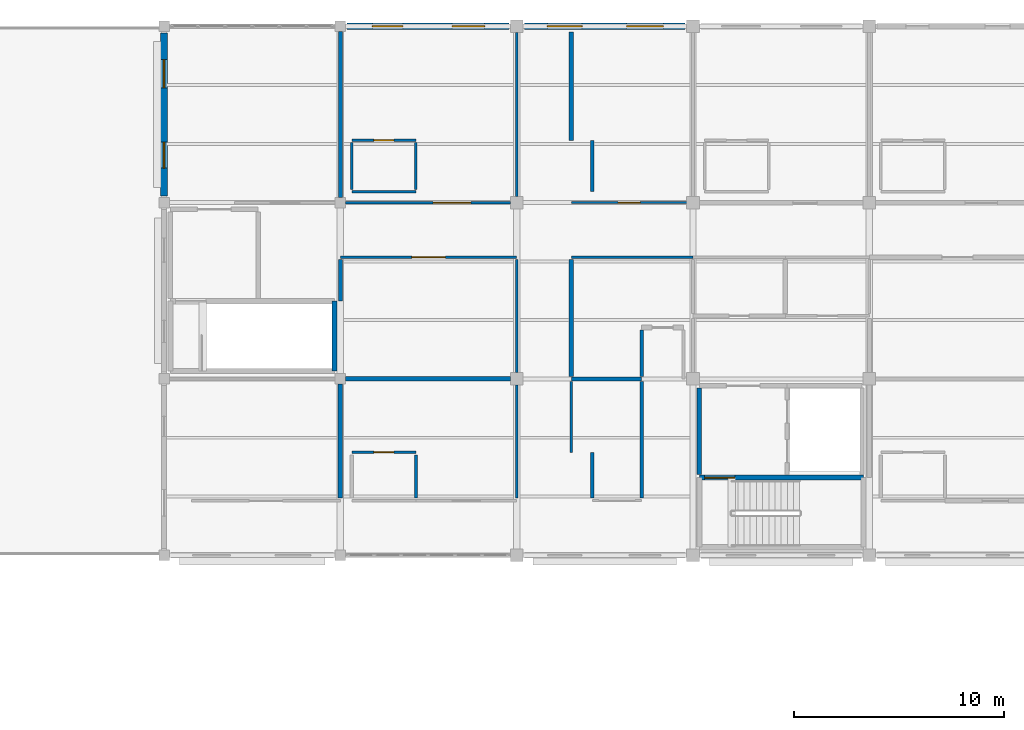
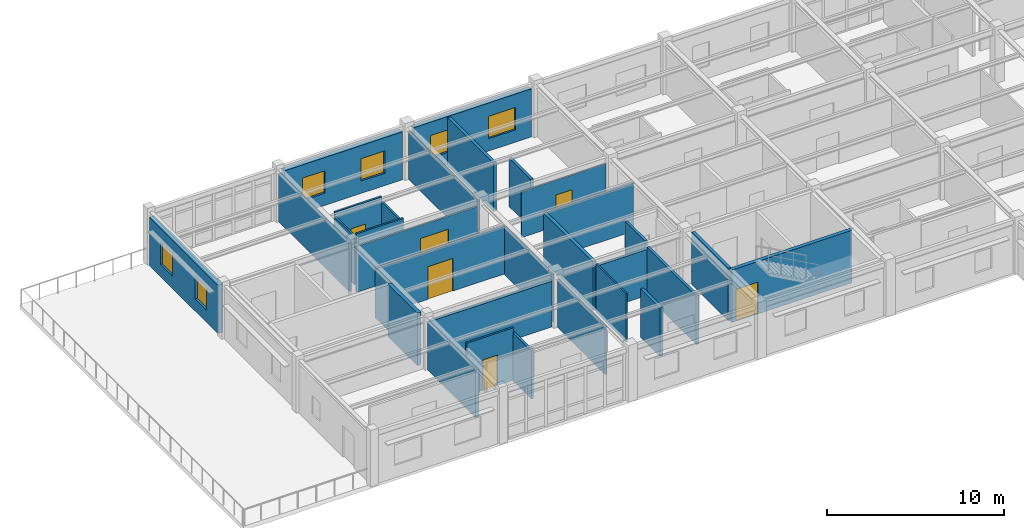
# One storey, part 52 of 70: 31 walls, 6 doors, 6 windows, 12 openings.
"""IFC4 building model written with IfcOpenShell, lengths in metres."""

from ifc_helpers import new_model, si_unit, direction, frame, frame_2d, origin, place, context, subcontext, project, spatial, rectangle, extrude, material, layer, layer_set, type_object, element, fill, save


model = new_model("IFC4")

# Units and contexts
model_context = context("Model", 3, precision=1e-05, world=origin(), true_north=direction((0.0, 1.0)))
body_context = subcontext(model_context, "Body", "Model", "MODEL_VIEW")
ifc_project = project(units=[si_unit("LENGTHUNIT", "METRE"), si_unit("AREAUNIT", "SQUARE_METRE"), si_unit("VOLUMEUNIT", "CUBIC_METRE"), si_unit("PLANEANGLEUNIT", "RADIAN"), si_unit("MASSUNIT", "GRAM", prefix="KILO")], contexts=[model_context])

# Site, building, storey
site_placement = place(None, origin())
site = spatial("IfcSite", under=ifc_project, at=site_placement, CompositionType="ELEMENT")
building_placement = place(site_placement, origin())
building = spatial("IfcBuilding", under=site, at=building_placement, Name="Bramfleet General Hospital", CompositionType="ELEMENT")
storey_placement = place(building_placement, frame((0.0, 0.0, 22.5)))
storey = spatial("IfcBuildingStorey", under=building, at=storey_placement, Name="L05", CompositionType="ELEMENT", Elevation=22.5)

# Wall, openings, windows
ifc_material_1 = material(Name="Precast concrete C40/50", Category="concrete")
ifc_layer_1 = layer(ifc_material_1, 0.3349609375, Name="WT-EW-03")
ifc_layer_set_1 = layer_set([ifc_layer_1], Name="Precast concrete C40/50")
wall_type_1 = type_object("IfcWallType", Name="WT-EW-03", PredefinedType="SOLIDWALL", material=ifc_layer_set_1)
wall_1_placement = place(storey_placement, frame((50.39990234375, 109.52490234375, 0.0), z_axis=(0.0, 0.0, 1.0), x_axis=(0.0, 1.0, 0.0)))
wall_1 = element("IfcWall", 1, at=wall_1_placement, inside=storey, type_object=wall_type_1, Name="L05 Exterior Wall 344", PredefinedType="SOLIDWALL", context=body_context, shape_type="SweptSolid", body=[
    extrude(rectangle(XDim=7.75, YDim=0.3349609375, at=frame_2d((3.875, 0.0))), origin(), (0.0, 0.0, 1.0), 3.330078125),
])
opening_1_placement = place(wall_1_placement, frame((1.3125, 0.0, 0.85009765625)))
opening_1 = element("IfcOpeningElement", 2, at=opening_1_placement, cuts=wall_1, Name="Opening W-23", PredefinedType="OPENING", context=body_context, shape_type="SweptSolid", body=[
    extrude(rectangle(XDim=1.25, YDim=1.5400390625, at=frame_2d((0.625, 0.77001953125))), frame((0.0, 0.177490234375, 0.0), z_axis=(0.0, -1.0, 0.0), x_axis=(1.0, 0.0, 0.0)), (0.0, 0.0, 1.0), 0.35498046875),
])
opening_2_placement = place(wall_1_placement, frame((5.137451171875, 0.0, 0.85009765625)))
opening_2 = element("IfcOpeningElement", 3, at=opening_2_placement, cuts=wall_1, Name="Opening W-24", PredefinedType="OPENING", context=body_context, shape_type="SweptSolid", body=[
    extrude(rectangle(XDim=1.35009765625, YDim=1.5400390625, at=frame_2d((0.675048828125, 0.77001953125))), frame((0.0, 0.177490234375, 0.0), z_axis=(0.0, -1.0, 0.0), x_axis=(1.0, 0.0, 0.0)), (0.0, 0.0, 1.0), 0.35498046875),
])
ifc_material_2 = material(Name="Anodised aluminium and low-E triple glazing", Category="aluminium")
window_type_1 = type_object("IfcWindowType", Name="WIN-W-23", PartitioningType="SINGLE_PANEL", PredefinedType="WINDOW", material=ifc_material_2)
window_1_placement = place(opening_1_placement, origin())
window_1 = element("IfcWindow", 4, at=window_1_placement, inside=storey, type_object=window_type_1, Name="L05 Facade Window WIN-L05-344-1", OverallHeight=1.5400390625, OverallWidth=1.25, PartitioningType="SINGLE_PANEL", PredefinedType="WINDOW", context=body_context, shape_type="SweptSolid", body=[
    extrude(rectangle(XDim=1.25, YDim=1.5400390625, at=frame_2d((0.625, 0.77001953125))), frame((0.0, 0.030029296875, 0.0), z_axis=(0.0, -1.0, 0.0), x_axis=(1.0, 0.0, 0.0)), (0.0, 0.0, 1.0), 0.06005859375),
])
fill(opening_1, window_1)
window_type_2 = type_object("IfcWindowType", Name="WIN-W-24", PartitioningType="SINGLE_PANEL", PredefinedType="WINDOW", material=ifc_material_2)
window_2_placement = place(opening_2_placement, origin())
window_2 = element("IfcWindow", 5, at=window_2_placement, inside=storey, type_object=window_type_2, Name="L05 Facade Window WIN-L05-344-2", OverallHeight=1.5400390625, OverallWidth=1.35009765625, PartitioningType="SINGLE_PANEL", PredefinedType="WINDOW", context=body_context, shape_type="SweptSolid", body=[
    extrude(rectangle(XDim=1.35009765625, YDim=1.5400390625, at=frame_2d((0.675048828125, 0.77001953125))), frame((0.0, 0.030029296875, 0.0), z_axis=(0.0, -1.0, 0.0), x_axis=(1.0, 0.0, 0.0)), (0.0, 0.0, 1.0), 0.06005859375),
])
fill(opening_2, window_2)

ifc_layer_2 = layer(ifc_material_1, 0.31494140625, Name="WT-EW-04")
ifc_layer_set_2 = layer_set([ifc_layer_2], Name="Precast concrete C40/50")
wall_type_2 = type_object("IfcWallType", Name="WT-EW-04", PredefinedType="SOLIDWALL", material=ifc_layer_set_2)
wall_2_placement = place(storey_placement, frame((59.125, 117.60009765625, 0.0), z_axis=(0.0, 0.0, 1.0), x_axis=(1.0, 0.0, 0.0)))
wall_2 = element("IfcWall", 6, at=wall_2_placement, inside=storey, type_object=wall_type_2, Name="L05 Exterior Wall 345", PredefinedType="SOLIDWALL", context=body_context, shape_type="SweptSolid", body=[
    extrude(rectangle(XDim=7.699951171875, YDim=0.31494140625, at=frame_2d((3.85009765625, 0.0))), origin(), (0.0, 0.0, 1.0), 3.300048828125),
])
opening_3_placement = place(wall_2_placement, frame((1.199951171875, 0.0, 0.85009765625)))
opening_3 = element("IfcOpeningElement", 7, at=opening_3_placement, cuts=wall_2, Name="Opening W-25", PredefinedType="OPENING", context=body_context, shape_type="SweptSolid", body=[
    extrude(rectangle(XDim=1.449951171875, YDim=1.5400390625, at=frame_2d((0.72509765625, 0.77001953125))), frame((0.0, 0.16748046875, 0.0), z_axis=(0.0, -1.0, 0.0), x_axis=(1.0, 0.0, 0.0)), (0.0, 0.0, 1.0), 0.3349609375),
])
opening_4_placement = place(wall_2_placement, frame((5.0, 0.0, 0.85009765625)))
opening_4 = element("IfcOpeningElement", 8, at=opening_4_placement, cuts=wall_2, Name="Opening W-26", PredefinedType="OPENING", context=body_context, shape_type="SweptSolid", body=[
    extrude(rectangle(XDim=1.550048828125, YDim=1.5400390625, at=frame_2d((0.77490234375, 0.77001953125))), frame((0.0, 0.16748046875, 0.0), z_axis=(0.0, -1.0, 0.0), x_axis=(1.0, 0.0, 0.0)), (0.0, 0.0, 1.0), 0.3349609375),
])
window_type_3 = type_object("IfcWindowType", Name="WIN-W-25", PartitioningType="SINGLE_PANEL", PredefinedType="WINDOW", material=ifc_material_2)
window_3_placement = place(opening_3_placement, origin())
window_3 = element("IfcWindow", 9, at=window_3_placement, inside=storey, type_object=window_type_3, Name="L05 Facade Window WIN-L05-345-1", OverallHeight=1.5400390625, OverallWidth=1.449951171875, PartitioningType="SINGLE_PANEL", PredefinedType="WINDOW", context=body_context, shape_type="SweptSolid", body=[
    extrude(rectangle(XDim=1.449951171875, YDim=1.5400390625, at=frame_2d((0.72509765625, 0.77001953125))), frame((0.0, 0.030029296875, 0.0), z_axis=(0.0, -1.0, 0.0), x_axis=(1.0, 0.0, 0.0)), (0.0, 0.0, 1.0), 0.06005859375),
])
fill(opening_3, window_3)
window_type_4 = type_object("IfcWindowType", Name="WIN-W-26", PartitioningType="SINGLE_PANEL", PredefinedType="WINDOW", material=ifc_material_2)
window_4_placement = place(opening_4_placement, origin())
window_4 = element("IfcWindow", 10, at=window_4_placement, inside=storey, type_object=window_type_4, Name="L05 Facade Window WIN-L05-345-2", OverallHeight=1.5400390625, OverallWidth=1.550048828125, PartitioningType="SINGLE_PANEL", PredefinedType="WINDOW", context=body_context, shape_type="SweptSolid", body=[
    extrude(rectangle(XDim=1.550048828125, YDim=1.5400390625, at=frame_2d((0.77490234375, 0.77001953125))), frame((0.0, 0.030029296875, 0.0), z_axis=(0.0, -1.0, 0.0), x_axis=(1.0, 0.0, 0.0)), (0.0, 0.0, 1.0), 0.06005859375),
])
fill(opening_4, window_4)

ifc_layer_3 = layer(ifc_material_1, 0.294921875, Name="WT-EW-05")
ifc_layer_set_3 = layer_set([ifc_layer_3], Name="Precast concrete C40/50")
wall_type_3 = type_object("IfcWallType", Name="WT-EW-05", PredefinedType="SOLIDWALL", material=ifc_layer_set_3)
wall_3_placement = place(storey_placement, frame((67.574951171875, 117.60009765625, 0.0), z_axis=(0.0, 0.0, 1.0), x_axis=(1.0, 0.0, 0.0)))
wall_3 = element("IfcWall", 11, at=wall_3_placement, inside=storey, type_object=wall_type_3, Name="L05 Exterior Wall 346", PredefinedType="SOLIDWALL", context=body_context, shape_type="SweptSolid", body=[
    extrude(rectangle(XDim=7.650146484375, YDim=0.294921875, at=frame_2d((3.8251953125, 0.0))), origin(), (0.0, 0.0, 1.0), 3.31005859375),
])
opening_5_placement = place(wall_3_placement, frame((1.08740234375, 0.0, 0.85009765625)))
opening_5 = element("IfcOpeningElement", 12, at=opening_5_placement, cuts=wall_3, Name="Opening W-27", PredefinedType="OPENING", context=body_context, shape_type="SweptSolid", body=[
    extrude(rectangle(XDim=1.64990234375, YDim=1.5400390625, at=frame_2d((0.824951171875, 0.77001953125))), frame((0.0, 0.157470703125, 0.0), z_axis=(0.0, -1.0, 0.0), x_axis=(1.0, 0.0, 0.0)), (0.0, 0.0, 1.0), 0.31494140625),
])
opening_6_placement = place(wall_3_placement, frame((4.862548828125, 0.0, 0.85009765625)))
opening_6 = element("IfcOpeningElement", 13, at=opening_6_placement, cuts=wall_3, Name="Opening W-28", PredefinedType="OPENING", context=body_context, shape_type="SweptSolid", body=[
    extrude(rectangle(XDim=1.75, YDim=1.5400390625, at=frame_2d((0.875, 0.77001953125))), frame((0.0, 0.157470703125, 0.0), z_axis=(0.0, -1.0, 0.0), x_axis=(1.0, 0.0, 0.0)), (0.0, 0.0, 1.0), 0.31494140625),
])
window_type_5 = type_object("IfcWindowType", Name="WIN-W-27", PartitioningType="SINGLE_PANEL", PredefinedType="WINDOW", material=ifc_material_2)
window_5_placement = place(opening_5_placement, origin())
window_5 = element("IfcWindow", 14, at=window_5_placement, inside=storey, type_object=window_type_5, Name="L05 Facade Window WIN-L05-346-1", OverallHeight=1.5400390625, OverallWidth=1.64990234375, PartitioningType="SINGLE_PANEL", PredefinedType="WINDOW", context=body_context, shape_type="SweptSolid", body=[
    extrude(rectangle(XDim=1.64990234375, YDim=1.5400390625, at=frame_2d((0.824951171875, 0.77001953125))), frame((0.0, 0.030029296875, 0.0), z_axis=(0.0, -1.0, 0.0), x_axis=(1.0, 0.0, 0.0)), (0.0, 0.0, 1.0), 0.06005859375),
])
fill(opening_5, window_5)
window_type_6 = type_object("IfcWindowType", Name="WIN-W-28", PartitioningType="SINGLE_PANEL", PredefinedType="WINDOW", material=ifc_material_2)
window_6_placement = place(opening_6_placement, origin())
window_6 = element("IfcWindow", 15, at=window_6_placement, inside=storey, type_object=window_type_6, Name="L05 Facade Window WIN-L05-346-2", OverallHeight=1.5400390625, OverallWidth=1.75, PartitioningType="SINGLE_PANEL", PredefinedType="WINDOW", context=body_context, shape_type="SweptSolid", body=[
    extrude(rectangle(XDim=1.75, YDim=1.5400390625, at=frame_2d((0.875, 0.77001953125))), frame((0.0, 0.030029296875, 0.0), z_axis=(0.0, -1.0, 0.0), x_axis=(1.0, 0.0, 0.0)), (0.0, 0.0, 1.0), 0.06005859375),
])
fill(opening_6, window_6)

# Walls
ifc_material_3 = material(Name="Concrete C35/45", Category="concrete")
ifc_layer_4 = layer(ifc_material_3, 0.219970703125, Name="WT-IW-01")
ifc_layer_set_4 = layer_set([ifc_layer_4], Name="Concrete C35/45")
wall_type_4 = type_object("IfcWallType", Name="WT-IW-01", PredefinedType="PARTITIONING", material=ifc_layer_set_4)
wall_4_placement = place(storey_placement, frame((59.044921875, 100.800048828125, 0.0), z_axis=(0.0, 0.0, 1.0), x_axis=(1.0, 0.0, 0.0)))
element("IfcWall", 16, at=wall_4_placement, inside=storey, type_object=wall_type_4, Name="L05 Interior Partition IW-L05-3601", PredefinedType="PARTITIONING", context=body_context, shape_type="SweptSolid", body=[
    extrude(rectangle(XDim=7.860107421875, YDim=0.219970703125, at=frame_2d((3.93017578125, 0.0))), origin(), (0.0, 0.0, 1.0), 3.14990234375),
])
wall_5_placement = place(storey_placement, frame((69.800048828125, 100.9150390625, 0.0), z_axis=(0.0, 0.0, 1.0), x_axis=(0.0, 1.0, 0.0)))
element("IfcWall", 17, at=wall_5_placement, inside=storey, type_object=wall_type_4, Name="L05 Interior Partition IW-L05-3673", PredefinedType="PARTITIONING", context=body_context, shape_type="SweptSolid", body=[
    extrude(rectangle(XDim=5.570068359375, YDim=0.219970703125, at=frame_2d((2.78515625, 0.0))), origin(), (0.0, 0.0, 1.0), 3.340087890625),
])
ifc_layer_5 = layer(ifc_material_3, 0.205078125, Name="WT-IW-02")
ifc_layer_set_5 = layer_set([ifc_layer_5], Name="Concrete C35/45")
wall_type_5 = type_object("IfcWallType", Name="WT-IW-02", PredefinedType="PARTITIONING", material=ifc_layer_set_5)
wall_6_placement = place(storey_placement, frame((75.89990234375, 96.239990234375, 0.0), z_axis=(0.0, 0.0, 1.0), x_axis=(0.0, 1.0, 0.0)))
element("IfcWall", 18, at=wall_6_placement, inside=storey, type_object=wall_type_5, Name="L05 C5 Lobby West Compartment Wall", PredefinedType="PARTITIONING", context=body_context, shape_type="SweptSolid", body=[
    extrude(rectangle(XDim=4.1201171875, YDim=0.205078125, at=frame_2d((2.06005859375, 0.0))), origin(), (0.0, 0.0, 1.0), 3.610107421875),
])
wall_7_placement = place(storey_placement, frame((69.800048828125, 100.800048828125, 0.0), z_axis=(0.0, 0.0, 1.0), x_axis=(1.0, 0.0, 0.0)))
element("IfcWall", 19, at=wall_7_placement, inside=storey, type_object=wall_type_5, Name="L05 Interior Partition IW-L05-3602", PredefinedType="PARTITIONING", context=body_context, shape_type="SweptSolid", body=[
    extrude(rectangle(XDim=3.349853515625, YDim=0.205078125, at=frame_2d((1.6748046875, 0.0))), origin(), (0.0, 0.0, 1.0), 3.159912109375),
])
wall_8_placement = place(storey_placement, frame((58.800048828125, 95.114990234375, 0.0), z_axis=(0.0, 0.0, 1.0), x_axis=(0.0, 1.0, 0.0)))
element("IfcWall", 20, at=wall_8_placement, inside=storey, type_object=wall_type_5, Name="L05 Interior Partition IW-L05-3662", PredefinedType="PARTITIONING", context=body_context, shape_type="SweptSolid", body=[
    extrude(rectangle(XDim=5.43994140625, YDim=0.205078125, at=frame_2d((2.719970703125, 0.0))), origin(), (0.0, 0.0, 1.0), 3.2900390625),
])
wall_9_placement = place(storey_placement, frame((69.800048828125, 112.169921875, 0.0), z_axis=(0.0, 0.0, 1.0), x_axis=(0.0, 1.0, 0.0)))
element("IfcWall", 21, at=wall_9_placement, inside=storey, type_object=wall_type_5, Name="L05 Interior Partition IW-L05-3674", PredefinedType="PARTITIONING", context=body_context, shape_type="SweptSolid", body=[
    extrude(rectangle(XDim=5.150146484375, YDim=0.205078125, at=frame_2d((2.5751953125, 0.0))), origin(), (0.0, 0.0, 1.0), 3.340087890625),
])
ifc_layer_6 = layer(ifc_material_3, 0.18994140625, Name="WT-IW-03")
ifc_layer_set_6 = layer_set([ifc_layer_6], Name="Concrete C35/45")
wall_type_6 = type_object("IfcWallType", Name="WT-IW-03", PredefinedType="PARTITIONING", material=ifc_layer_set_6)
wall_10_placement = place(storey_placement, frame((58.800048828125, 104.5, 0.0), z_axis=(0.0, 0.0, 1.0), x_axis=(0.0, 1.0, 0.0)))
element("IfcWall", 22, at=wall_10_placement, inside=storey, type_object=wall_type_6, Name="L05 Interior Partition IW-L05-3663", PredefinedType="PARTITIONING", context=body_context, shape_type="SweptSolid", body=[
    extrude(rectangle(XDim=1.985107421875, YDim=0.18994140625, at=frame_2d((0.99267578125, 0.0))), origin(), (0.0, 0.0, 1.0), 3.2900390625),
])
wall_11_placement = place(storey_placement, frame((70.800048828125, 95.114990234375, 0.0), z_axis=(0.0, 0.0, 1.0), x_axis=(0.0, 1.0, 0.0)))
element("IfcWall", 23, at=wall_11_placement, inside=storey, type_object=wall_type_6, Name="L05 Interior Partition IW-L05-3675", PredefinedType="PARTITIONING", context=body_context, shape_type="SweptSolid", body=[
    extrude(rectangle(XDim=2.18505859375, YDim=0.18994140625, at=frame_2d((1.092529296875, 0.0))), origin(), (0.0, 0.0, 1.0), 3.340087890625),
])
ifc_layer_7 = layer(ifc_material_3, 0.179931640625, Name="WT-IW-04")
ifc_layer_set_7 = layer_set([ifc_layer_7], Name="Concrete C35/45")
wall_type_7 = type_object("IfcWallType", Name="WT-IW-04", PredefinedType="PARTITIONING", material=ifc_layer_set_7)
wall_12_placement = place(storey_placement, frame((58.800048828125, 109.445068359375, 0.0), z_axis=(0.0, 0.0, 1.0), x_axis=(0.0, 1.0, 0.0)))
element("IfcWall", 24, at=wall_12_placement, inside=storey, type_object=wall_type_7, Name="L05 Interior Partition IW-L05-3664", PredefinedType="PARTITIONING", context=body_context, shape_type="SweptSolid", body=[
    extrude(rectangle(XDim=7.909912109375, YDim=0.179931640625, at=frame_2d((3.955078125, 0.0))), origin(), (0.0, 0.0, 1.0), 3.2900390625),
])
wall_13_placement = place(storey_placement, frame((70.800048828125, 109.719970703125, 0.0), z_axis=(0.0, 0.0, 1.0), x_axis=(0.0, 1.0, 0.0)))
element("IfcWall", 25, at=wall_13_placement, inside=storey, type_object=wall_type_7, Name="L05 Interior Partition IW-L05-3676", PredefinedType="PARTITIONING", context=body_context, shape_type="SweptSolid", body=[
    extrude(rectangle(XDim=2.449951171875, YDim=0.179931640625, at=frame_2d((1.22509765625, 0.0))), origin(), (0.0, 0.0, 1.0), 3.340087890625),
])
ifc_material_4 = material(Name="Gypsum plasterboard on acoustic steel studs", Category="steel")
ifc_layer_8 = layer(ifc_material_4, 0.169921875, Name="WT-IW-05")
ifc_layer_set_8 = layer_set([ifc_layer_8], Name="Gypsum plasterboard on acoustic steel studs")
wall_type_8 = type_object("IfcWallType", Name="WT-IW-05", PredefinedType="PARTITIONING", material=ifc_layer_set_8)
wall_14_placement = place(storey_placement, frame((73.14990234375, 95.114990234375, 0.0), z_axis=(0.0, 0.0, 1.0), x_axis=(0.0, 1.0, 0.0)))
element("IfcWall", 26, at=wall_14_placement, inside=storey, type_object=wall_type_8, Name="L05 Interior Partition IW-L05-3677", PredefinedType="PARTITIONING", context=body_context, shape_type="SweptSolid", body=[
    extrude(rectangle(XDim=5.570068359375, YDim=0.169921875, at=frame_2d((2.78515625, 0.0))), origin(), (0.0, 0.0, 1.0), 3.340087890625),
])
ifc_layer_9 = layer(ifc_material_4, 0.159912109375, Name="WT-IW-06")
ifc_layer_set_9 = layer_set([ifc_layer_9], Name="Gypsum plasterboard on acoustic steel studs")
wall_type_9 = type_object("IfcWallType", Name="WT-IW-06", PredefinedType="PARTITIONING", material=ifc_layer_set_9)
wall_15_placement = place(storey_placement, frame((73.14990234375, 100.9150390625, 0.0), z_axis=(0.0, 0.0, 1.0), x_axis=(0.0, 1.0, 0.0)))
element("IfcWall", 27, at=wall_15_placement, inside=storey, type_object=wall_type_9, Name="L05 Interior Partition IW-L05-3678", PredefinedType="PARTITIONING", context=body_context, shape_type="SweptSolid", body=[
    extrude(rectangle(XDim=2.219970703125, YDim=0.159912109375, at=frame_2d((1.10986328125, 0.0))), origin(), (0.0, 0.0, 1.0), 3.610107421875),
])
ifc_layer_10 = layer(ifc_material_4, 0.14990234375, Name="WT-IW-07")
ifc_layer_set_10 = layer_set([ifc_layer_10], Name="Gypsum plasterboard on acoustic steel studs")
wall_type_10 = type_object("IfcWallType", Name="WT-IW-07", PredefinedType="PARTITIONING", material=ifc_layer_set_10)
wall_16_placement = place(storey_placement, frame((62.39990234375, 95.114990234375, 0.0), z_axis=(0.0, 0.0, 1.0), x_axis=(0.0, 1.0, 0.0)))
element("IfcWall", 28, at=wall_16_placement, inside=storey, type_object=wall_type_10, Name="L05 Interior Partition IW-L05-3667", PredefinedType="PARTITIONING", context=body_context, shape_type="SweptSolid", body=[
    extrude(rectangle(XDim=2.070068359375, YDim=0.14990234375, at=frame_2d((1.03515625, 0.0))), origin(), (0.0, 0.0, 1.0), 3.330078125),
])

# Wall, opening, door
ifc_layer_11 = layer(ifc_material_4, 0.1298828125, Name="WT-IW-09")
ifc_layer_set_11 = layer_set([ifc_layer_11], Name="Gypsum plasterboard on acoustic steel studs")
wall_type_11 = type_object("IfcWallType", Name="WT-IW-09", PredefinedType="PARTITIONING", material=ifc_layer_set_11)
wall_17_placement = place(storey_placement, frame((59.35009765625, 97.300048828125, 0.0), z_axis=(0.0, 0.0, 1.0), x_axis=(1.0, 0.0, 0.0)))
wall_17 = element("IfcWall", 29, at=wall_17_placement, inside=storey, type_object=wall_type_11, Name="L05 Interior Partition IW-L05-3597", PredefinedType="PARTITIONING", context=body_context, shape_type="SweptSolid", body=[
    extrude(rectangle(XDim=3.0498046875, YDim=0.1298828125, at=frame_2d((1.52490234375, 0.0))), origin(), (0.0, 0.0, 1.0), 3.610107421875),
])
opening_7_placement = place(wall_17_placement, frame((1.050048828125, 0.0, 0.0)))
opening_7 = element("IfcOpeningElement", 30, at=opening_7_placement, cuts=wall_17, Name="Opening D1347", PredefinedType="OPENING", context=body_context, shape_type="SweptSolid", body=[
    extrude(rectangle(XDim=0.949951171875, YDim=2.10009765625, at=frame_2d((0.47509765625, 1.050048828125))), frame((0.0, 0.074951171875, 0.0), z_axis=(0.0, -1.0, 0.0), x_axis=(1.0, 0.0, 0.0)), (0.0, 0.0, 1.0), 0.14990234375),
])
ifc_material_5 = material(Name="Stainless steel and acoustic timber leaf", Category="steel")
door_type_1 = type_object("IfcDoorType", Name="DR-D-10", OperationType="NOTDEFINED", PredefinedType="DOOR", material=ifc_material_5)
door_1_placement = place(opening_7_placement, origin())
door_1 = element("IfcDoor", 31, at=door_1_placement, inside=storey, type_object=door_type_1, Name="En-Suite Bathroom L05-0711 Door D1347", OperationType="SINGLE_SWING_LEFT", OverallHeight=2.10009765625, OverallWidth=0.949951171875, PredefinedType="DOOR", context=body_context, shape_type="SweptSolid", body=[
    extrude(rectangle(XDim=0.949951171875, YDim=2.10009765625, at=frame_2d((0.47509765625, 1.050048828125))), frame((0.0, 0.02490234375, 0.0), z_axis=(0.0, -1.0, 0.0), x_axis=(1.0, 0.0, 0.0)), (0.0, 0.0, 1.0), 0.050048828125),
])
fill(opening_7, door_1)

wall_18_placement = place(storey_placement, frame((58.800048828125, 106.60009765625, 0.0), z_axis=(0.0, 0.0, 1.0), x_axis=(1.0, 0.0, 0.0)))
wall_18 = element("IfcWall", 32, at=wall_18_placement, inside=storey, type_object=wall_type_11, Name="L05 Interior Partition IW-L05-3621", PredefinedType="PARTITIONING", context=body_context, shape_type="SweptSolid", body=[
    extrude(rectangle(XDim=8.39990234375, YDim=0.1298828125, at=frame_2d((4.199951171875, 0.0))), origin(), (0.0, 0.0, 1.0), 3.2900390625),
])
opening_8_placement = place(wall_18_placement, frame((3.39990234375, 0.0, 0.0)))
opening_8 = element("IfcOpeningElement", 33, at=opening_8_placement, cuts=wall_18, Name="Opening D1348", PredefinedType="OPENING", context=body_context, shape_type="SweptSolid", body=[
    extrude(rectangle(XDim=1.60009765625, YDim=2.25, at=frame_2d((0.800048828125, 1.125))), frame((0.0, 0.074951171875, 0.0), z_axis=(0.0, -1.0, 0.0), x_axis=(1.0, 0.0, 0.0)), (0.0, 0.0, 1.0), 0.14990234375),
])
door_type_2 = type_object("IfcDoorType", Name="DR-D-04", OperationType="NOTDEFINED", PredefinedType="DOOR", material=ifc_material_5)
door_2_placement = place(opening_8_placement, origin())
door_2 = element("IfcDoor", 34, at=door_2_placement, inside=storey, type_object=door_type_2, Name="Ward Linen and Clean Utility L05-0712 Door D1348", OperationType="DOUBLE_SWING_LEFT", OverallHeight=2.25, OverallWidth=1.60009765625, PredefinedType="DOOR", context=body_context, shape_type="SweptSolid", body=[
    extrude(rectangle(XDim=1.60009765625, YDim=2.25, at=frame_2d((0.800048828125, 1.125))), frame((0.0, 0.02490234375, 0.0), z_axis=(0.0, -1.0, 0.0), x_axis=(1.0, 0.0, 0.0)), (0.0, 0.0, 1.0), 0.050048828125),
])
fill(opening_8, door_2)

# Walls
wall_19_placement = place(storey_placement, frame((67.199951171875, 95.114990234375, 0.0), z_axis=(0.0, 0.0, 1.0), x_axis=(0.0, 1.0, 0.0)))
element("IfcWall", 35, at=wall_19_placement, inside=storey, type_object=wall_type_11, Name="L05 Interior Partition IW-L05-3669", PredefinedType="PARTITIONING", context=body_context, shape_type="SweptSolid", body=[
    extrude(rectangle(XDim=5.389892578125, YDim=0.1298828125, at=frame_2d((2.69482421875, 0.0))), origin(), (0.0, 0.0, 1.0), 3.2900390625),
])
ifc_layer_12 = layer(ifc_material_4, 0.1201171875, Name="WT-IW-10")
ifc_layer_set_12 = layer_set([ifc_layer_12], Name="Gypsum plasterboard on acoustic steel studs")
wall_type_12 = type_object("IfcWallType", Name="WT-IW-10", PredefinedType="PARTITIONING", material=ifc_layer_set_12)
wall_20_placement = place(storey_placement, frame((69.800048828125, 106.60009765625, 0.0), z_axis=(0.0, 0.0, 1.0), x_axis=(1.0, 0.0, 0.0)))
element("IfcWall", 36, at=wall_20_placement, inside=storey, type_object=wall_type_12, Name="L05 Interior Partition IW-L05-3622", PredefinedType="PARTITIONING", context=body_context, shape_type="SweptSolid", body=[
    extrude(rectangle(XDim=5.800048828125, YDim=0.1201171875, at=frame_2d((2.89990234375, 0.0))), origin(), (0.0, 0.0, 1.0), 3.300048828125),
])
wall_21_placement = place(storey_placement, frame((59.35009765625, 109.719970703125, 0.0), z_axis=(0.0, 0.0, 1.0), x_axis=(1.0, 0.0, 0.0)))
element("IfcWall", 37, at=wall_21_placement, inside=storey, type_object=wall_type_12, Name="L05 Interior Partition IW-L05-3642", PredefinedType="PARTITIONING", context=body_context, shape_type="SweptSolid", body=[
    extrude(rectangle(XDim=3.0498046875, YDim=0.1201171875, at=frame_2d((1.52490234375, 0.0))), origin(), (0.0, 0.0, 1.0), 3.610107421875),
])

# Wall, opening, door
wall_22_placement = place(storey_placement, frame((59.35009765625, 112.169921875, 0.0), z_axis=(0.0, 0.0, 1.0), x_axis=(1.0, 0.0, 0.0)))
wall_22 = element("IfcWall", 38, at=wall_22_placement, inside=storey, type_object=wall_type_12, Name="L05 Interior Partition IW-L05-3654", PredefinedType="PARTITIONING", context=body_context, shape_type="SweptSolid", body=[
    extrude(rectangle(XDim=3.0498046875, YDim=0.1201171875, at=frame_2d((1.52490234375, 0.0))), origin(), (0.0, 0.0, 1.0), 3.610107421875),
])
opening_9_placement = place(wall_22_placement, frame((1.050048828125, 0.0, 0.0)))
opening_9 = element("IfcOpeningElement", 39, at=opening_9_placement, cuts=wall_22, Name="Opening D1350", PredefinedType="OPENING", context=body_context, shape_type="SweptSolid", body=[
    extrude(rectangle(XDim=0.949951171875, YDim=2.10009765625, at=frame_2d((0.47509765625, 1.050048828125))), frame((0.0, 0.070068359375, 0.0), z_axis=(0.0, -1.0, 0.0), x_axis=(1.0, 0.0, 0.0)), (0.0, 0.0, 1.0), 0.14013671875),
])
door_3_placement = place(opening_9_placement, origin())
door_3 = element("IfcDoor", 40, at=door_3_placement, inside=storey, type_object=door_type_1, Name="En-Suite Bathroom L05-0713 Door D1350", OperationType="SINGLE_SWING_LEFT", OverallHeight=2.10009765625, OverallWidth=0.949951171875, PredefinedType="DOOR", context=body_context, shape_type="SweptSolid", body=[
    extrude(rectangle(XDim=0.949951171875, YDim=2.10009765625, at=frame_2d((0.47509765625, 1.050048828125))), frame((0.0, 0.02490234375, 0.0), z_axis=(0.0, -1.0, 0.0), x_axis=(1.0, 0.0, 0.0)), (0.0, 0.0, 1.0), 0.050048828125),
])
fill(opening_9, door_3)

# Walls
for number, where, z_axis, x_axis, name in (
    (41, (59.35009765625, 109.8349609375, 0.0), (0.0, 0.0, 1.0), (0.0, 1.0, 0.0), "L05 Interior Partition IW-L05-3666"),
    (42, (62.39990234375, 109.8349609375, 0.0), (0.0, 0.0, 1.0), (0.0, 1.0, 0.0), "L05 Interior Partition IW-L05-3668"),
):
    element("IfcWall", number, at=place(storey_placement, frame(where, z_axis=z_axis, x_axis=x_axis)), inside=storey, type_object=wall_type_12, Name=name, PredefinedType="PARTITIONING", context=body_context, shape_type="SweptSolid", body=[
        extrude(rectangle(XDim=2.219970703125, YDim=0.1201171875, at=frame_2d((1.10986328125, 0.0))), origin(), (0.0, 0.0, 1.0), 3.330078125),
    ])
wall_23_placement = place(storey_placement, frame((67.199951171875, 101.094970703125, 0.0), z_axis=(0.0, 0.0, 1.0), x_axis=(0.0, 1.0, 0.0)))
element("IfcWall", 43, at=wall_23_placement, inside=storey, type_object=wall_type_12, Name="L05 Interior Partition IW-L05-3670", PredefinedType="PARTITIONING", context=body_context, shape_type="SweptSolid", body=[
    extrude(rectangle(XDim=5.39013671875, YDim=0.1201171875, at=frame_2d((2.695068359375, 0.0))), origin(), (0.0, 0.0, 1.0), 3.2900390625),
])

# Wall, opening, door
ifc_layer_13 = layer(ifc_material_4, 0.112060546875, Name="WT-IW-11")
ifc_layer_set_13 = layer_set([ifc_layer_13], Name="Gypsum plasterboard on acoustic steel studs")
wall_type_13 = type_object("IfcWallType", Name="WT-IW-11", PredefinedType="PARTITIONING", material=ifc_layer_set_13)
wall_24_placement = place(storey_placement, frame((59.044921875, 109.199951171875, 0.0), z_axis=(0.0, 0.0, 1.0), x_axis=(1.0, 0.0, 0.0)))
wall_24 = element("IfcWall", 44, at=wall_24_placement, inside=storey, type_object=wall_type_13, Name="L05 Interior Partition IW-L05-3635", PredefinedType="PARTITIONING", context=body_context, shape_type="SweptSolid", body=[
    extrude(rectangle(XDim=7.860107421875, YDim=0.112060546875, at=frame_2d((3.93017578125, 0.0))), origin(), (0.0, 0.0, 1.0), 3.14990234375),
])
opening_10_placement = place(wall_24_placement, frame((4.173095703125, 0.0, 0.0)))
opening_10 = element("IfcOpeningElement", 45, at=opening_10_placement, cuts=wall_24, Name="Opening D1349", PredefinedType="OPENING", context=body_context, shape_type="SweptSolid", body=[
    extrude(rectangle(XDim=1.800048828125, YDim=2.25, at=frame_2d((0.89990234375, 1.125))), frame((0.0, 0.06591796875, 0.0), z_axis=(0.0, -1.0, 0.0), x_axis=(1.0, 0.0, 0.0)), (0.0, 0.0, 1.0), 0.132080078125),
])
door_type_3 = type_object("IfcDoorType", Name="DR-D-05", OperationType="NOTDEFINED", PredefinedType="DOOR", material=ifc_material_5)
door_4_placement = place(opening_10_placement, origin())
door_4 = element("IfcDoor", 46, at=door_4_placement, inside=storey, type_object=door_type_3, Name="Medical and Cardiology Ward Bedroom L05-0713 Door D1349", OperationType="DOUBLE_SWING_RIGHT", OverallHeight=2.25, OverallWidth=1.800048828125, PredefinedType="DOOR", context=body_context, shape_type="SweptSolid", body=[
    extrude(rectangle(XDim=1.800048828125, YDim=2.25, at=frame_2d((0.89990234375, 1.125))), frame((0.0, 0.02490234375, 0.0), z_axis=(0.0, -1.0, 0.0), x_axis=(1.0, 0.0, 0.0)), (0.0, 0.0, 1.0), 0.050048828125),
])
fill(opening_10, door_4)

# Wall
wall_25_placement = place(storey_placement, frame((67.199951171875, 109.4951171875, 0.0), z_axis=(0.0, 0.0, 1.0), x_axis=(0.0, 1.0, 0.0)))
element("IfcWall", 47, at=wall_25_placement, inside=storey, type_object=wall_type_13, Name="L05 Interior Partition IW-L05-3671", PredefinedType="PARTITIONING", context=body_context, shape_type="SweptSolid", body=[
    extrude(rectangle(XDim=7.809814453125, YDim=0.112060546875, at=frame_2d((3.90478515625, 0.0))), origin(), (0.0, 0.0, 1.0), 3.2900390625),
])

# Wall, opening, door
ifc_layer_14 = layer(ifc_material_4, 0.10009765625, Name="WT-IW-12")
ifc_layer_set_14 = layer_set([ifc_layer_14], Name="Gypsum plasterboard on acoustic steel studs")
wall_type_14 = type_object("IfcWallType", Name="WT-IW-12", PredefinedType="PARTITIONING", material=ifc_layer_set_14)
wall_26_placement = place(storey_placement, frame((69.800048828125, 109.199951171875, 0.0), z_axis=(0.0, 0.0, 1.0), x_axis=(1.0, 0.0, 0.0)))
wall_26 = element("IfcWall", 48, at=wall_26_placement, inside=storey, type_object=wall_type_14, Name="L05 Interior Partition IW-L05-3636", PredefinedType="PARTITIONING", context=body_context, shape_type="SweptSolid", body=[
    extrude(rectangle(XDim=5.5048828125, YDim=0.10009765625, at=frame_2d((2.75244140625, 0.0))), origin(), (0.0, 0.0, 1.0), 3.159912109375),
])
opening_11_placement = place(wall_26_placement, frame((2.2275390625, 0.0, 0.0)))
opening_11 = element("IfcOpeningElement", 49, at=opening_11_placement, cuts=wall_26, Name="Opening D1353", PredefinedType="OPENING", context=body_context, shape_type="SweptSolid", body=[
    extrude(rectangle(XDim=1.050048828125, YDim=2.14990234375, at=frame_2d((0.52490234375, 1.074951171875))), frame((0.0, 0.06005859375, 0.0), z_axis=(0.0, -1.0, 0.0), x_axis=(1.0, 0.0, 0.0)), (0.0, 0.0, 1.0), 0.1201171875),
])
door_type_4 = type_object("IfcDoorType", Name="DR-D-09", OperationType="NOTDEFINED", PredefinedType="DOOR", material=ifc_material_5)
door_5_placement = place(opening_11_placement, origin())
door_5 = element("IfcDoor", 50, at=door_5_placement, inside=storey, type_object=door_type_4, Name="Medical and Cardiology Ward Bedroom L05-0813 Door D1353", OperationType="SINGLE_SWING_RIGHT", OverallHeight=2.14990234375, OverallWidth=1.050048828125, PredefinedType="DOOR", context=body_context, shape_type="SweptSolid", body=[
    extrude(rectangle(XDim=1.050048828125, YDim=2.14990234375, at=frame_2d((0.52490234375, 1.074951171875))), frame((0.0, 0.02490234375, 0.0), z_axis=(0.0, -1.0, 0.0), x_axis=(1.0, 0.0, 0.0)), (0.0, 0.0, 1.0), 0.050048828125),
])
fill(opening_11, door_5)

# Wall
wall_27_placement = place(storey_placement, frame((69.800048828125, 97.300048828125, 0.0), z_axis=(0.0, 0.0, 1.0), x_axis=(0.0, 1.0, 0.0)))
element("IfcWall", 51, at=wall_27_placement, inside=storey, type_object=wall_type_14, Name="L05 Interior Partition IW-L05-3672", PredefinedType="PARTITIONING", context=body_context, shape_type="SweptSolid", body=[
    extrude(rectangle(XDim=3.385009765625, YDim=0.10009765625, at=frame_2d((1.6923828125, 0.0))), origin(), (0.0, 0.0, 1.0), 3.340087890625),
])

# Wall, opening, door
ifc_material_6 = material(Name="Concrete C40/50", Category="concrete")
ifc_layer_15 = layer(ifc_material_6, 0.239990234375, Name="WT-SW-240")
ifc_layer_set_15 = layer_set([ifc_layer_15], Name="Concrete C40/50")
wall_type_15 = type_object("IfcWallType", Name="WT-SW-240", PredefinedType="SHEAR", material=ifc_layer_set_15)
wall_28_placement = place(storey_placement, frame((75.89990234375, 96.10009765625, 0.0), z_axis=(0.0, 0.0, 1.0), x_axis=(1.0, 0.0, 0.0)))
wall_28 = element("IfcWall", 52, at=wall_28_placement, inside=storey, type_object=wall_type_15, Name="L05 C5 Stair-Lobby Shear Wall", PredefinedType="SHEAR", context=body_context, shape_type="SweptSolid", body=[
    extrude(rectangle(XDim=7.820068359375, YDim=0.239990234375, at=frame_2d((3.91015625, 0.0))), origin(), (0.0, 0.0, 1.0), 3.6201171875),
])
opening_12_placement = place(wall_28_placement, frame((0.25, 0.0, 0.0)))
opening_12 = element("IfcOpeningElement", 53, at=opening_12_placement, cuts=wall_28, Name="Opening D0067", PredefinedType="OPENING", context=body_context, shape_type="SweptSolid", body=[
    extrude(rectangle(XDim=1.449951171875, YDim=2.199951171875, at=frame_2d((0.72509765625, 1.10009765625))), frame((0.0, 0.1298828125, 0.0), z_axis=(0.0, -1.0, 0.0), x_axis=(1.0, 0.0, 0.0)), (0.0, 0.0, 1.0), 0.260009765625),
])
door_type_5 = type_object("IfcDoorType", Name="DR-D-03", OperationType="NOTDEFINED", PredefinedType="DOOR", material=ifc_material_5)
door_6_placement = place(opening_12_placement, origin())
door_6 = element("IfcDoor", 54, at=door_6_placement, inside=storey, type_object=door_type_5, Name="L05 C5 Escape Stair Fire Door D0067", OperationType="SINGLE_SWING_RIGHT", OverallHeight=2.199951171875, OverallWidth=1.449951171875, PredefinedType="DOOR", context=body_context, shape_type="SweptSolid", body=[
    extrude(rectangle(XDim=1.449951171875, YDim=2.199951171875, at=frame_2d((0.72509765625, 1.10009765625))), frame((0.0, 0.02490234375, 0.0), z_axis=(0.0, -1.0, 0.0), x_axis=(1.0, 0.0, 0.0)), (0.0, 0.0, 1.0), 0.050048828125),
])
fill(opening_12, door_6)

# Wall
wall_29_placement = place(storey_placement, frame((58.52001953125, 101.179931640625, 0.0), z_axis=(0.0, 0.0, 1.0), x_axis=(0.0, 1.0, 0.0)))
element("IfcWall", 55, at=wall_29_placement, inside=storey, type_object=wall_type_15, Name="L05 C14 East Stair Shear Wall", PredefinedType="SHEAR", context=body_context, shape_type="SweptSolid", body=[
    extrude(rectangle(XDim=3.320068359375, YDim=0.239990234375, at=frame_2d((1.66015625, 0.0))), origin(), (0.0, 0.0, 1.0), 3.6201171875),
])

save(model, "model.ifc")
